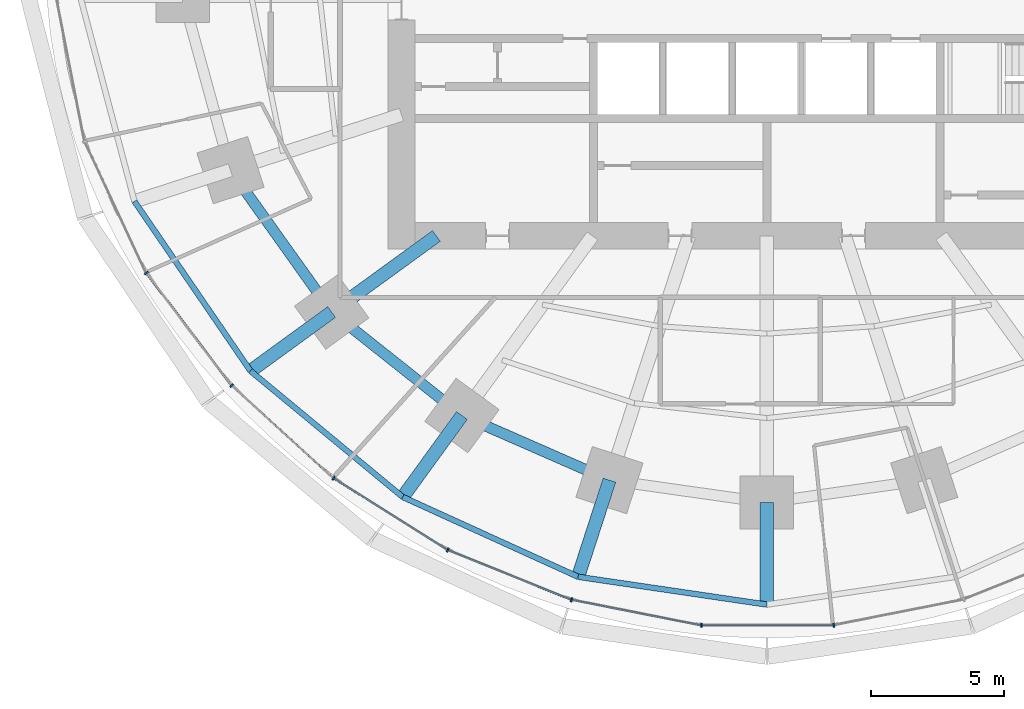
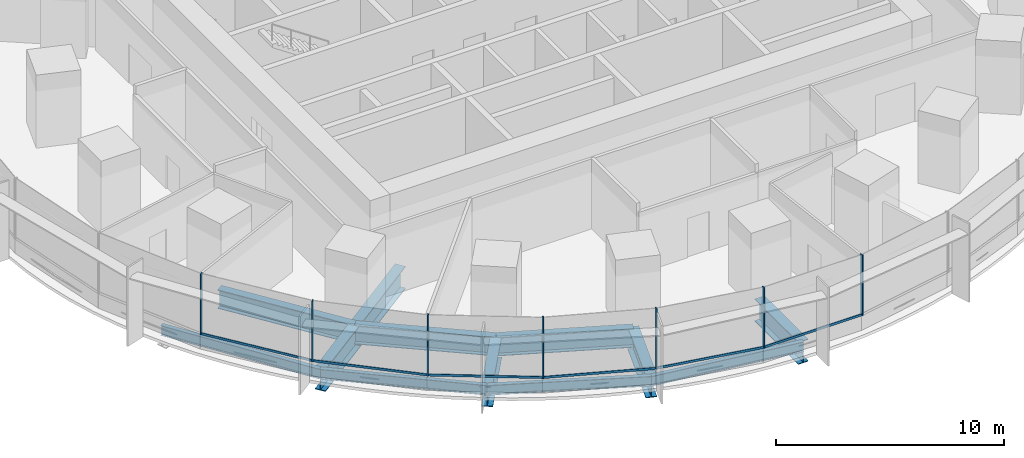
# One storey, part 2 of 15: 13 members, 12 beams, 2 elements without a shape of their own.
"""IFC4 building model written with IfcOpenShell, lengths in metres."""

from ifc_helpers import new_model, si_unit, direction, frame, origin, origin_2d, place, context, subcontext, project, spatial, rectangle, i_section, extrude, material, material_profile, profile_set, type_object, element, aggregate, save


model = new_model("IFC4")

# Units and contexts
model_context = context("Model", 3, precision=1e-05, world=origin(), true_north=direction((0.0, 1.0)))
body_context = subcontext(model_context, "Body", "Model", "MODEL_VIEW")
ifc_project = project(units=[si_unit("LENGTHUNIT", "METRE"), si_unit("AREAUNIT", "SQUARE_METRE"), si_unit("VOLUMEUNIT", "CUBIC_METRE"), si_unit("PLANEANGLEUNIT", "RADIAN"), si_unit("MASSUNIT", "GRAM", prefix="KILO")], contexts=[model_context])

# Site, building, storey
site_placement = place(None, origin())
site = spatial("IfcSite", under=ifc_project, at=site_placement, CompositionType="ELEMENT")
building_placement = place(site_placement, origin())
building = spatial("IfcBuilding", under=site, at=building_placement, Name="Marramba Exchange Tower", CompositionType="ELEMENT")
storey_placement = place(building_placement, frame((0.0, 0.0, 70.0)))
storey = spatial("IfcBuildingStorey", under=building, at=storey_placement, Name="L16", CompositionType="ELEMENT", Elevation=70.0)

# Beams
ifc_material_1 = material(Name="Steel AS/NZS 3679.2 grade 300", Category="steel")
ifc_material_profile_1 = material_profile(ifc_material_1, i_section(OverallWidth=0.5, OverallDepth=1.199951171875, WebThickness=0.01611328125, FlangeThickness=0.0400390625, at=origin_2d()), Name="1200WB455")
ifc_profile_set_1 = profile_set([ifc_material_profile_1], Name="Steel AS/NZS 3679.2 grade 300")
beam_type_1 = type_object("IfcBeamType", Name="Cantilever girder 1200WB455", PredefinedType="BEAM", material=ifc_profile_set_1)
beam_1_placement = place(storey_placement, frame((-16.3154296875, -11.853759765625, -0.760009765625), z_axis=(-0.809008346081, -0.587797155463, 0.0), x_axis=(0.587797155463, -0.809008346081, 0.0)))
element("IfcBeam", 1, at=beam_1_placement, inside=storey, type_object=beam_type_1, Name="Cantilever girder L16 TC13", PredefinedType="BEAM", context=body_context, shape_type="SweptSolid", body=[
    extrude(i_section(OverallWidth=0.5, OverallDepth=1.199951171875, WebThickness=0.01611328125, FlangeThickness=0.0400390625, at=origin_2d()), origin(), (0.0, 0.0, 1.0), 3.76025390625),
])
beam_2_placement = place(storey_placement, frame((-11.430419921875, -15.732666015625, -0.760009765625), z_axis=(-0.587787232741, -0.809015555491, 0.0), x_axis=(0.809015555491, -0.587787232741, 0.0)))
element("IfcBeam", 2, at=beam_2_placement, inside=storey, type_object=beam_type_1, Name="Cantilever girder L16 TC14", PredefinedType="BEAM", context=body_context, shape_type="SweptSolid", body=[
    extrude(i_section(OverallWidth=0.5, OverallDepth=1.199951171875, WebThickness=0.01611328125, FlangeThickness=0.0400390625, at=origin_2d()), origin(), (0.0, 0.0, 1.0), 3.7763671875),
])
beam_3_placement = place(storey_placement, frame((-5.899658203125, -18.156982421875, -0.760009765625), z_axis=(-0.309009272901, -0.951059025119, 0.0), x_axis=(0.951059025119, -0.309009272901, 0.0)))
element("IfcBeam", 3, at=beam_3_placement, inside=storey, type_object=beam_type_1, Name="Cantilever girder L16 TC15", PredefinedType="BEAM", context=body_context, shape_type="SweptSolid", body=[
    extrude(i_section(OverallWidth=0.5, OverallDepth=1.199951171875, WebThickness=0.01611328125, FlangeThickness=0.0400390625, at=origin_2d()), origin(), (0.0, 0.0, 1.0), 3.809814453125),
])
beam_4_placement = place(storey_placement, frame((0.0, -18.99609375, -0.760009765625), z_axis=(0.0, -1.0, 0.0), x_axis=(1.0, 0.0, 0.0)))
element("IfcBeam", 4, at=beam_4_placement, inside=storey, type_object=beam_type_1, Name="Cantilever girder L16 TC16", PredefinedType="BEAM", context=body_context, shape_type="SweptSolid", body=[
    extrude(i_section(OverallWidth=0.5, OverallDepth=1.199951171875, WebThickness=0.01611328125, FlangeThickness=0.0400390625, at=origin_2d()), origin(), (0.0, 0.0, 1.0), 3.825927734375),
])
ifc_material_profile_2 = material_profile(ifc_material_1, i_section(OverallWidth=0.5, OverallDepth=1.199951171875, WebThickness=0.01611328125, FlangeThickness=0.0400390625, at=origin_2d()), Name="1200WB455")
ifc_profile_set_2 = profile_set([ifc_material_profile_2], Name="Steel AS/NZS 3679.2 grade 300")
beam_type_2 = type_object("IfcBeamType", Name="Radial girder 1200WB455", PredefinedType="BEAM", material=ifc_profile_set_2)
beam_5_placement = place(storey_placement, frame((-12.387451171875, -9.0, -0.760009765625), z_axis=(-0.809025189606, -0.58777397236, 0.0), x_axis=(0.58777397236, -0.809025189606, 0.0)))
element("IfcBeam", 5, at=beam_5_placement, inside=storey, type_object=beam_type_2, Name="Radial girder L16 TC13", PredefinedType="BEAM", context=body_context, shape_type="SweptSolid", body=[
    extrude(i_section(OverallWidth=0.5, OverallDepth=1.199951171875, WebThickness=0.01611328125, FlangeThickness=0.0400390625, at=origin_2d()), origin(), (0.0, 0.0, 1.0), 4.855224609375),
])
ifc_material_profile_3 = material_profile(ifc_material_1, i_section(OverallWidth=0.39990234375, OverallDepth=1.0, WebThickness=0.01611328125, FlangeThickness=0.031982421875, at=origin_2d()), Name="1000WB322")
ifc_profile_set_3 = profile_set([ifc_material_profile_3], Name="Steel AS/NZS 3679.2 grade 300")
beam_type_3 = type_object("IfcBeamType", Name="Ring beam 1000WB322", PredefinedType="SPANDREL", material=ifc_profile_set_3)
beam_6_placement = place(storey_placement, frame((-20.109375, -6.533935546875, -0.659912109375), z_axis=(0.580637181111, -0.814162430914, 0.0), x_axis=(0.814162430914, 0.580637181111, 0.0)))
element("IfcBeam", 6, at=beam_6_placement, inside=storey, type_object=beam_type_3, Name="Ring beam L16 TC12-TC13", PredefinedType="SPANDREL", context=body_context, shape_type="SweptSolid", body=[
    extrude(i_section(OverallWidth=0.39990234375, OverallDepth=1.0, WebThickness=0.01611328125, FlangeThickness=0.031982421875, at=origin_2d()), origin(), (0.0, 0.0, 1.0), 6.5341796875),
])
beam_7_placement = place(storey_placement, frame((-16.3154296875, -11.853759765625, -0.659912109375), z_axis=(0.783139438128, -0.621846138887, 0.0), x_axis=(0.621846138887, 0.783139438128, 0.0)))
element("IfcBeam", 7, at=beam_7_placement, inside=storey, type_object=beam_type_3, Name="Ring beam L16 TC13-TC14", PredefinedType="SPANDREL", context=body_context, shape_type="SweptSolid", body=[
    extrude(i_section(OverallWidth=0.39990234375, OverallDepth=1.0, WebThickness=0.01611328125, FlangeThickness=0.031982421875, at=origin_2d()), origin(), (0.0, 0.0, 1.0), 6.23779296875),
])
beam_8_placement = place(storey_placement, frame((-11.430419921875, -15.732666015625, -0.659912109375), z_axis=(0.915876892158, -0.4014592363, 0.0), x_axis=(0.4014592363, 0.915876892158, 0.0)))
element("IfcBeam", 8, at=beam_8_placement, inside=storey, type_object=beam_type_3, Name="Ring beam L16 TC14-TC15", PredefinedType="SPANDREL", context=body_context, shape_type="SweptSolid", body=[
    extrude(i_section(OverallWidth=0.39990234375, OverallDepth=1.0, WebThickness=0.01611328125, FlangeThickness=0.031982421875, at=origin_2d()), origin(), (0.0, 0.0, 1.0), 6.038818359375),
])
ifc_material_2 = material(Name="Steel AS/NZS 3679.1 grade 300", Category="steel")
ifc_material_profile_4 = material_profile(ifc_material_2, i_section(OverallWidth=0.208984375, OverallDepth=0.528076171875, WebThickness=0.009521484375, FlangeThickness=0.01318359375, FilletRadius=0.013916015625, at=origin_2d()), Name="530UB82.0")
ifc_profile_set_4 = profile_set([ifc_material_profile_4], Name="Steel AS/NZS 3679.1 grade 300")
beam_type_4 = type_object("IfcBeamType", Name="Slab edge beam 530UB82.0", PredefinedType="SPANDREL", material=ifc_profile_set_4)
beam_9_placement = place(storey_placement, frame((-23.709716796875, -7.703857421875, -0.424072265625), z_axis=(0.564740697285, -0.82526840775, 0.0), x_axis=(0.82526840775, 0.564740697285, 0.0)))
element("IfcBeam", 9, at=beam_9_placement, inside=storey, type_object=beam_type_4, Name="Slab edge beam L16 TC12-TC13", PredefinedType="SPANDREL", context=body_context, shape_type="SweptSolid", body=[
    extrude(i_section(OverallWidth=0.208984375, OverallDepth=0.528076171875, WebThickness=0.009521484375, FlangeThickness=0.01318359375, FilletRadius=0.013916015625, at=origin_2d()), origin(), (0.0, 0.0, 1.0), 7.706787109375),
])
beam_10_placement = place(storey_placement, frame((-19.357421875, -14.06396484375, -0.424072265625), z_axis=(0.770353575372, -0.637616945283, 0.0), x_axis=(0.637616945283, 0.770353575372, 0.0)))
element("IfcBeam", 10, at=beam_10_placement, inside=storey, type_object=beam_type_4, Name="Slab edge beam L16 TC13-TC14", PredefinedType="SPANDREL", context=body_context, shape_type="SweptSolid", body=[
    extrude(i_section(OverallWidth=0.208984375, OverallDepth=0.528076171875, WebThickness=0.009521484375, FlangeThickness=0.01318359375, FilletRadius=0.013916015625, at=origin_2d()), origin(), (0.0, 0.0, 1.0), 7.40869140625),
])
beam_11_placement = place(storey_placement, frame((-13.650146484375, -18.787841796875, -0.424072265625), z_axis=(0.910126690081, -0.414330071324, 0.0), x_axis=(0.414330071324, 0.910126690081, 0.0)))
element("IfcBeam", 11, at=beam_11_placement, inside=storey, type_object=beam_type_4, Name="Slab edge beam L16 TC14-TC15", PredefinedType="SPANDREL", context=body_context, shape_type="SweptSolid", body=[
    extrude(i_section(OverallWidth=0.208984375, OverallDepth=0.528076171875, WebThickness=0.009521484375, FlangeThickness=0.01318359375, FilletRadius=0.013916015625, at=origin_2d()), origin(), (0.0, 0.0, 1.0), 7.222412109375),
])
beam_12_placement = place(storey_placement, frame((-7.076904296875, -21.7802734375, -0.424072265625), z_axis=(0.989338462178, -0.145634498848, 0.0), x_axis=(0.145634498848, 0.989338462178, 0.0)))
element("IfcBeam", 12, at=beam_12_placement, inside=storey, type_object=beam_type_4, Name="Slab edge beam L16 TC15-TC16", PredefinedType="SPANDREL", context=body_context, shape_type="SweptSolid", body=[
    extrude(i_section(OverallWidth=0.208984375, OverallDepth=0.528076171875, WebThickness=0.009521484375, FlangeThickness=0.01318359375, FilletRadius=0.013916015625, at=origin_2d()), origin(), (0.0, 0.0, 1.0), 7.153076171875),
])

# Curtain wall, members
ifc_material_3 = material(Name="Aluminium framing, bronze anodised", Category="aluminium")
curtain_wall_type = type_object("IfcCurtainWallType", Name="Trading floor ribbon curtain wall", PredefinedType="USERDEFINED", material=ifc_material_3)
curtain_wall_1_placement = place(storey_placement, origin())
curtain_wall_1 = element("IfcCurtainWall", 13, at=curtain_wall_1_placement, inside=storey, type_object=curtain_wall_type, Name="Curtain wall CW3 L16 F16-F20", ObjectType="RIBBON CURTAIN WALL", PredefinedType="USERDEFINED")
ifc_material_4 = material(Name="Aluminium mullion, bronze anodised", Category="aluminium")
ifc_material_profile_5 = material_profile(ifc_material_4, rectangle(XDim=0.159912109375, YDim=0.06005859375, at=origin_2d()), Name="CW3 mullion 60x160")
ifc_profile_set_5 = profile_set([ifc_material_profile_5], Name="Aluminium mullion, bronze anodised")
member_type_1 = type_object("IfcMemberType", Name="Trading floor ribbon curtain wall mullion", PredefinedType="MULLION", material=ifc_profile_set_5)
member_1_placement = place(storey_placement, frame((-23.26318359375, -10.389404296875, 0.800048828125), z_axis=(0.0, 0.0, 1.0), x_axis=(0.797710591138, 0.603040473588, 0.0)))
member_1 = element("IfcMember", 14, at=member_1_placement, type_object=member_type_1, Name="CW3 mullion 1", PredefinedType="MULLION", context=body_context, shape_type="SweptSolid", body=[
    extrude(rectangle(XDim=0.159912109375, YDim=0.06005859375, at=origin_2d()), origin(), (0.0, 0.0, 1.0), 3.239990234375),
])
member_2_placement = place(storey_placement, frame((-20.063232421875, -14.61328125, 0.800048828125), z_axis=(0.0, 0.0, 1.0), x_axis=(0.673058133441, 0.739589581463, 0.0)))
member_2 = element("IfcMember", 15, at=member_2_placement, type_object=member_type_1, Name="CW3 mullion 1", PredefinedType="MULLION", context=body_context, shape_type="SweptSolid", body=[
    extrude(rectangle(XDim=0.159912109375, YDim=0.06005859375, at=origin_2d()), origin(), (0.0, 0.0, 1.0), 3.239990234375),
])
member_3_placement = place(storey_placement, frame((-16.242431640625, -18.083251953125, 0.800048828125), z_axis=(0.0, 0.0, 1.0), x_axis=(0.533514646612, 0.845790826298, 0.0)))
member_3 = element("IfcMember", 16, at=member_3_placement, type_object=member_type_1, Name="CW3 mullion 1", PredefinedType="MULLION", context=body_context, shape_type="SweptSolid", body=[
    extrude(rectangle(XDim=0.159912109375, YDim=0.06005859375, at=origin_2d()), origin(), (0.0, 0.0, 1.0), 3.239990234375),
])

curtain_wall_2_placement = place(storey_placement, origin())
curtain_wall_2 = element("IfcCurtainWall", 17, at=curtain_wall_2_placement, inside=storey, type_object=curtain_wall_type, Name="Curtain wall CW3 L16 F21-F25", ObjectType="RIBBON CURTAIN WALL", PredefinedType="USERDEFINED")
member_4_placement = place(storey_placement, frame((-11.96142578125, -20.77734375, 0.800048828125), z_axis=(0.0, 0.0, 1.0), x_axis=(0.374218219325, 0.927340673283, 0.0)))
member_4 = element("IfcMember", 18, at=member_4_placement, type_object=member_type_1, Name="CW3 mullion 1", PredefinedType="MULLION", context=body_context, shape_type="SweptSolid", body=[
    extrude(rectangle(XDim=0.159912109375, YDim=0.06005859375, at=origin_2d()), origin(), (0.0, 0.0, 1.0), 3.239990234375),
])
member_5_placement = place(storey_placement, frame((-7.325439453125, -22.64208984375, 0.800048828125), z_axis=(0.0, 0.0, 1.0), x_axis=(0.193961202977, 0.98100920064, 0.0)))
member_5 = element("IfcMember", 19, at=member_5_placement, type_object=member_type_1, Name="CW3 mullion 1", PredefinedType="MULLION", context=body_context, shape_type="SweptSolid", body=[
    extrude(rectangle(XDim=0.159912109375, YDim=0.06005859375, at=origin_2d()), origin(), (0.0, 0.0, 1.0), 3.239990234375),
])
member_6_placement = place(storey_placement, frame((-2.450439453125, -23.599853515625, 0.800048828125), z_axis=(0.0, 0.0, 1.0), x_axis=(0.0, 1.0, 0.0)))
member_6 = element("IfcMember", 20, at=member_6_placement, type_object=member_type_1, Name="CW3 mullion 1", PredefinedType="MULLION", context=body_context, shape_type="SweptSolid", body=[
    extrude(rectangle(XDim=0.159912109375, YDim=0.06005859375, at=origin_2d()), origin(), (0.0, 0.0, 1.0), 3.239990234375),
])
member_7_placement = place(storey_placement, frame((2.509765625, -23.59423828125, 0.800048828125), z_axis=(0.0, 0.0, 1.0), x_axis=(-0.193961202977, 0.98100920064, 0.0)))
member_7 = element("IfcMember", 21, at=member_7_placement, type_object=member_type_1, Name="CW3 mullion 1", PredefinedType="MULLION", context=body_context, shape_type="SweptSolid", body=[
    extrude(rectangle(XDim=0.159912109375, YDim=0.06005859375, at=origin_2d()), origin(), (0.0, 0.0, 1.0), 3.239990234375),
])

# Member
ifc_material_5 = material(Name="Aluminium transom, bronze anodised", Category="aluminium")
ifc_material_profile_6 = material_profile(ifc_material_5, rectangle(XDim=0.06005859375, YDim=0.1201171875, at=origin_2d()), Name="CW3 transom 60x120")
ifc_profile_set_6 = profile_set([ifc_material_profile_6], Name="Aluminium transom, bronze anodised")
member_type_2 = type_object("IfcMemberType", Name="Trading floor ribbon curtain wall transom", PredefinedType="USERDEFINED", material=ifc_profile_set_6)
member_8_placement = place(storey_placement, frame((-23.2451171875, -10.413330078125, 0.830078125), z_axis=(0.603037409419, -0.797712907531, 0.0), x_axis=(0.797712907531, 0.603037409419, 0.0)))
member_8 = element("IfcMember", 22, at=member_8_placement, type_object=member_type_2, Name="CW3 sill transom", ObjectType="TRANSOM", PredefinedType="USERDEFINED", context=body_context, shape_type="SweptSolid", body=[
    extrude(rectangle(XDim=0.06005859375, YDim=0.1201171875, at=origin_2d()), origin(), (0.0, 0.0, 1.0), 5.239501953125),
])

member_9_placement = place(storey_placement, frame((-20.041015625, -14.63330078125, 0.830078125), z_axis=(0.739582688456, -0.673065707741, 0.0), x_axis=(0.673065707741, 0.739582688456, 0.0)))
member_9 = element("IfcMember", 23, at=member_9_placement, type_object=member_type_2, Name="CW3 sill transom", ObjectType="TRANSOM", PredefinedType="USERDEFINED", context=body_context, shape_type="SweptSolid", body=[
    extrude(rectangle(XDim=0.06005859375, YDim=0.1201171875, at=origin_2d()), origin(), (0.0, 0.0, 1.0), 5.101806640625),
])

member_10_placement = place(storey_placement, frame((-16.217041015625, -18.09912109375, 0.830078125), z_axis=(0.845776602594, -0.533537195053, 0.0), x_axis=(0.533537195053, 0.845776602594, 0.0)))
member_10 = element("IfcMember", 24, at=member_10_placement, type_object=member_type_2, Name="CW3 sill transom", ObjectType="TRANSOM", PredefinedType="USERDEFINED", context=body_context, shape_type="SweptSolid", body=[
    extrude(rectangle(XDim=0.06005859375, YDim=0.1201171875, at=origin_2d()), origin(), (0.0, 0.0, 1.0), 4.998779296875),
])

aggregate(curtain_wall_1, [member_1, member_8, member_2, member_9, member_3, member_10])

member_11_placement = place(storey_placement, frame((-11.93359375, -20.78857421875, 0.830078125), z_axis=(0.927340197166, -0.374219399176, 0.0), x_axis=(0.374219399176, 0.927340197166, 0.0)))
member_11 = element("IfcMember", 25, at=member_11_placement, type_object=member_type_2, Name="CW3 sill transom", ObjectType="TRANSOM", PredefinedType="USERDEFINED", context=body_context, shape_type="SweptSolid", body=[
    extrude(rectangle(XDim=0.06005859375, YDim=0.1201171875, at=origin_2d()), origin(), (0.0, 0.0, 1.0), 4.937255859375),
])

member_12_placement = place(storey_placement, frame((-7.296142578125, -22.64794921875, 0.830078125), z_axis=(0.981018169547, -0.193915834883, 0.0), x_axis=(0.193915834883, 0.981018169547, 0.0)))
member_12 = element("IfcMember", 26, at=member_12_placement, type_object=member_type_2, Name="CW3 sill transom", ObjectType="TRANSOM", PredefinedType="USERDEFINED", context=body_context, shape_type="SweptSolid", body=[
    extrude(rectangle(XDim=0.06005859375, YDim=0.1201171875, at=origin_2d()), origin(), (0.0, 0.0, 1.0), 4.908935546875),
])

member_13_placement = place(storey_placement, frame((-2.42041015625, -23.599853515625, 0.830078125), z_axis=(1.0, 0.0, 0.0), x_axis=(0.0, 1.0, 0.0)))
member_13 = element("IfcMember", 27, at=member_13_placement, type_object=member_type_2, Name="CW3 sill transom", ObjectType="TRANSOM", PredefinedType="USERDEFINED", context=body_context, shape_type="SweptSolid", body=[
    extrude(rectangle(XDim=0.06005859375, YDim=0.1201171875, at=origin_2d()), origin(), (0.0, 0.0, 1.0), 4.90087890625),
])

aggregate(curtain_wall_2, [member_4, member_11, member_5, member_12, member_6, member_13, member_7])

save(model, "model.ifc")
